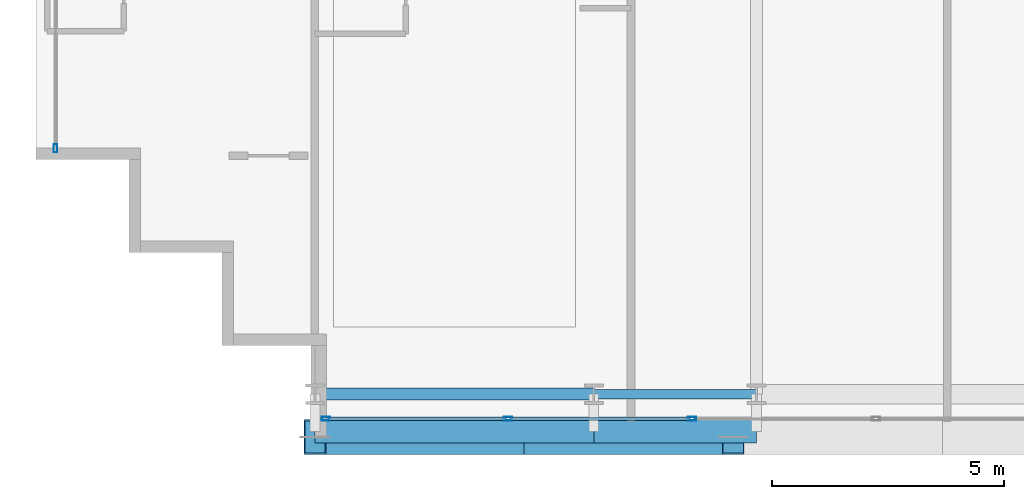
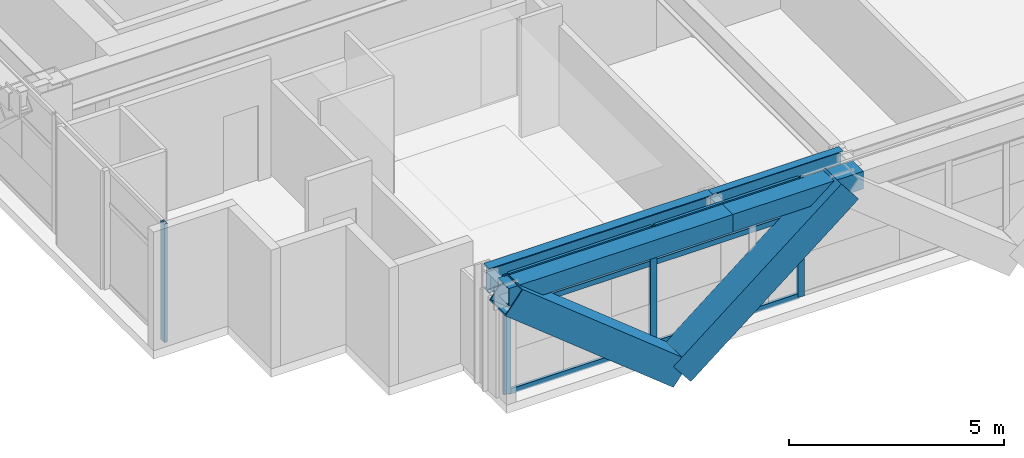
# One storey, part 2 of 35: 12 members, 4 beams, 2 elements without a shape of their own.
"""IFC4 building model written with IfcOpenShell, lengths in metres."""

from ifc_helpers import new_model, si_unit, direction, frame, origin, origin_2d, place, context, subcontext, project, spatial, hollow_rectangle, i_section, extrude, source, transform, mapped, material, layer, layer_set, material_profile, profile_set, type_object, element, aggregate, save


model = new_model("IFC4")

# Units and contexts
model_context = context("Model", 3, precision=1e-05, world=origin(), true_north=direction((0.0, 1.0)))
body_context = subcontext(model_context, "Body", "Model", "MODEL_VIEW")
ifc_project = project(units=[si_unit("LENGTHUNIT", "METRE"), si_unit("AREAUNIT", "SQUARE_METRE"), si_unit("VOLUMEUNIT", "CUBIC_METRE"), si_unit("PLANEANGLEUNIT", "RADIAN"), si_unit("MASSUNIT", "GRAM", prefix="KILO")], contexts=[model_context])

# Site, building, storey
site_placement = place(None, origin())
site = spatial("IfcSite", under=ifc_project, at=site_placement, CompositionType="ELEMENT")
building_placement = place(site_placement, origin())
building = spatial("IfcBuilding", under=site, at=building_placement, Name="Ocotamira Hotel", CompositionType="ELEMENT")
storey_placement = place(building_placement, frame((0.0, 0.0, 144.0)))
storey = spatial("IfcBuildingStorey", under=building, at=storey_placement, Name="L36", CompositionType="ELEMENT", Elevation=144.0)

# Beams
ifc_material_1 = material(Name="Steel ASTM A992 Grade 50", Category="steel")
ifc_material_profile_1 = material_profile(ifc_material_1, i_section(OverallWidth=0.256103515625, OverallDepth=0.693115234375, WebThickness=0.014404296875, FlangeThickness=0.023681640625, FilletRadius=0.01611328125, at=origin_2d()), Name="W27X114")
ifc_profile_set_1 = profile_set([ifc_material_profile_1], Name="Steel ASTM A992 Grade 50")
beam_type_1 = type_object("IfcBeamType", Name="BM-PRIM-W27X114", PredefinedType="BEAM", material=ifc_profile_set_1)
shared_shape_1 = source(origin(), body_context, "Body", "SweptSolid", [
    extrude(i_section(OverallWidth=0.256103515625, OverallDepth=0.693115234375, WebThickness=0.014404296875, FlangeThickness=0.023681640625, FilletRadius=0.01611328125, at=origin_2d()), origin(), (0.0, 0.0, 1.0), 6.0),
])
beam_1_placement = place(storey_placement, frame((14.0, 2.949951171875, 3.013427734375), z_axis=(1.0, 0.0, 0.0), x_axis=(0.0, 1.0, 0.0)))
element("IfcBeam", 1, at=beam_1_placement, inside=storey, type_object=beam_type_1, Name="L36 Girder Y2.95 X14-20", PredefinedType="BEAM", context=body_context, shape_type="MappedRepresentation", body=[
    mapped(shared_shape_1, transform((0.0, 0.0, 0.0), scale=1.0)),
])
ifc_material_profile_2 = material_profile(ifc_material_1, i_section(OverallWidth=0.2099609375, OverallDepth=0.537109375, WebThickness=0.010986328125, FlangeThickness=0.017333984375, FilletRadius=0.012939453125, at=origin_2d()), Name="W21X68")
ifc_profile_set_2 = profile_set([ifc_material_profile_2], Name="Steel ASTM A992 Grade 50")
beam_type_2 = type_object("IfcBeamType", Name="BM-SEC-W21X68", PredefinedType="JOIST", material=ifc_profile_set_2)
shared_shape_2 = source(origin(), body_context, "Body", "SweptSolid", [
    extrude(i_section(OverallWidth=0.2099609375, OverallDepth=0.537109375, WebThickness=0.010986328125, FlangeThickness=0.017333984375, FilletRadius=0.012939453125, at=origin_2d()), origin(), (0.0, 0.0, 1.0), 3.5),
])
beam_2_placement = place(storey_placement, frame((20.0, 2.949951171875, 3.091552734375), z_axis=(1.0, 0.0, 0.0), x_axis=(0.0, 1.0, 0.0)))
element("IfcBeam", 2, at=beam_2_placement, inside=storey, type_object=beam_type_2, Name="L36 Girder Y2.95 X20-23.5", PredefinedType="JOIST", context=body_context, shape_type="MappedRepresentation", body=[
    mapped(shared_shape_2, transform((0.0, 0.0, 0.0), scale=1.0)),
])
ifc_material_2 = material(Name="Steel ASTM A500 Grade C", Category="steel")
ifc_material_profile_3 = material_profile(ifc_material_2, hollow_rectangle(XDim=0.5, YDim=0.5, WallThickness=0.02001953125, at=origin_2d()), Name="HSS500X500X20")
ifc_profile_set_3 = profile_set([ifc_material_profile_3], Name="Steel ASTM A500 Grade C")
beam_type_3 = type_object("IfcBeamType", Name="BM-SPAN-HSS500", PredefinedType="USERDEFINED", material=ifc_profile_set_3)
shared_shape_3 = source(origin(), body_context, "Body", "SweptSolid", [
    extrude(hollow_rectangle(XDim=0.5, YDim=0.5, WallThickness=0.02001953125, at=origin_2d()), origin(), (0.0, 0.0, 1.0), 6.0),
])
beam_3_placement = place(storey_placement, frame((14.0, 2.14990234375, 3.110107421875), z_axis=(1.0, 0.0, 0.0), x_axis=(0.0, 1.0, 0.0)))
element("IfcBeam", 3, at=beam_3_placement, inside=storey, type_object=beam_type_3, Name="L36 Edge Spandrel S X14-20", ObjectType="SPANDREL", PredefinedType="USERDEFINED", context=body_context, shape_type="MappedRepresentation", body=[
    mapped(shared_shape_3, transform((0.0, 0.0, 0.0), scale=1.0)),
])
shared_shape_4 = source(origin(), body_context, "Body", "SweptSolid", [
    extrude(hollow_rectangle(XDim=0.5, YDim=0.5, WallThickness=0.02001953125, at=origin_2d()), origin(), (0.0, 0.0, 1.0), 3.5),
])
beam_4_placement = place(storey_placement, frame((20.0, 2.14990234375, 3.110107421875), z_axis=(1.0, 0.0, 0.0), x_axis=(0.0, 1.0, 0.0)))
element("IfcBeam", 4, at=beam_4_placement, inside=storey, type_object=beam_type_3, Name="L36 Edge Spandrel S X20-23.5", ObjectType="SPANDREL", PredefinedType="USERDEFINED", context=body_context, shape_type="MappedRepresentation", body=[
    mapped(shared_shape_4, transform((0.0, 0.0, 0.0), scale=1.0)),
])

# Members
ifc_material_3 = material(Name="Pale-metal coated steel ASTM A913 Grade 65", Category="steel")
ifc_material_profile_4 = material_profile(ifc_material_3, hollow_rectangle(XDim=0.75, YDim=0.75, WallThickness=0.028076171875, at=origin_2d()), Name="BOX750X750X28")
ifc_profile_set_4 = profile_set([ifc_material_profile_4], Name="Pale-metal coated steel ASTM A913 Grade 65")
member_type_1 = type_object("IfcMemberType", Name="MEM-EXO-BOX750", PredefinedType="BRACE", material=ifc_profile_set_4)
shared_shape_5 = source(origin(), body_context, "Body", "SweptSolid", [
    extrude(hollow_rectangle(XDim=0.75, YDim=0.75, WallThickness=0.028076171875, at=origin_2d()), origin(), (0.0, 0.0, 1.0), 5.762939453125),
])
for number, where, z_axis, x_axis, name in (
    (5, (18.5, 2.030029296875, -0.489990234375), (-0.780860543151, 0.0, 0.624705380279), (0.0, -1.0, 0.0), "L36 Exoskeleton Diagrid S0.1"),
    (6, (18.5, 2.030029296875, -0.489990234375), (0.780860543151, 0.0, 0.624705380279), (0.0, 1.0, 0.0), "L36 Exoskeleton Diagrid S0.2"),
):
    element("IfcMember", number, at=place(storey_placement, frame(where, z_axis=z_axis, x_axis=x_axis)), inside=storey, type_object=member_type_1, Name=name, PredefinedType="BRACE", context=body_context, shape_type="MappedRepresentation", body=[
        mapped(shared_shape_5, transform((0.0, 0.0, 0.0), scale=1.0)),
    ])

# Curtain wall, members
ifc_material_4 = material(Name="Anodised pale-metal aluminium and solar glass", Category="aluminium")
ifc_layer = layer(ifc_material_4, 0.179931640625)
ifc_layer_set = layer_set([ifc_layer], Name="Anodised pale-metal aluminium and solar glass")
curtain_wall_type = type_object("IfcCurtainWallType", Name="CW-SYS3-Z2", PredefinedType="NOTDEFINED", material=ifc_layer_set)
curtain_wall_1_placement = place(storey_placement, origin())
curtain_wall_1 = element("IfcCurtainWall", 7, at=curtain_wall_1_placement, inside=storey, type_object=curtain_wall_type, Name="L36 Curtain Wall CW-3 CW-L36-S1", PredefinedType="NOTDEFINED")
ifc_material_5 = material(Name="Anodised pale-metal aluminium 6063-T6", Category="aluminium")
ifc_material_profile_5 = material_profile(ifc_material_5, hollow_rectangle(XDim=0.074951171875, YDim=0.14990234375, WallThickness=0.006103515625, at=origin_2d()), Name="HSS150X75X6")
ifc_profile_set_5 = profile_set([ifc_material_profile_5], Name="Anodised pale-metal aluminium 6063-T6")
member_type_2 = type_object("IfcMemberType", Name="CWT-150X75", PredefinedType="USERDEFINED", material=ifc_profile_set_5)
shared_shape_6 = source(origin(), body_context, "Body", "SweptSolid", [
    extrude(hollow_rectangle(XDim=0.074951171875, YDim=0.14990234375, WallThickness=0.006103515625, at=origin_2d()), origin(), (0.0, 0.0, 1.0), 3.83544921875),
])
member_1_placement = place(storey_placement, frame((14.280029296875, 2.419921875, 0.03759765625), z_axis=(1.0, 0.0, 0.0), x_axis=(0.0, 1.0, 0.0)))
member_1 = element("IfcMember", 8, at=member_1_placement, type_object=member_type_2, Name="CW-3 transom 1.1", ObjectType="TRANSOM", PredefinedType="USERDEFINED", context=body_context, shape_type="MappedRepresentation", body=[
    mapped(shared_shape_6, transform((0.0, 0.0, 0.0), scale=1.0)),
])
member_2_placement = place(storey_placement, frame((14.280029296875, 2.419921875, 2.35009765625), z_axis=(1.0, 0.0, 0.0), x_axis=(0.0, 1.0, 0.0)))
member_2 = element("IfcMember", 9, at=member_2_placement, type_object=member_type_2, Name="CW-3 transom 1.2", ObjectType="TRANSOM", PredefinedType="USERDEFINED", context=body_context, shape_type="MappedRepresentation", body=[
    mapped(shared_shape_6, transform((0.0, 0.0, 0.0), scale=1.0)),
])
member_3_placement = place(storey_placement, frame((14.280029296875, 2.419921875, 3.322509765625), z_axis=(1.0, 0.0, 0.0), x_axis=(0.0, 1.0, 0.0)))
member_3 = element("IfcMember", 10, at=member_3_placement, type_object=member_type_2, Name="CW-3 transom 1.3", ObjectType="TRANSOM", PredefinedType="USERDEFINED", context=body_context, shape_type="MappedRepresentation", body=[
    mapped(shared_shape_6, transform((0.0, 0.0, 0.0), scale=1.0)),
])
shared_shape_7 = source(origin(), body_context, "Body", "SweptSolid", [
    extrude(hollow_rectangle(XDim=0.074951171875, YDim=0.14990234375, WallThickness=0.006103515625, at=origin_2d()), origin(), (0.0, 0.0, 1.0), 3.87548828125),
])
member_4_placement = place(storey_placement, frame((18.195556640625, 2.419921875, 0.03759765625), z_axis=(1.0, 0.0, 0.0), x_axis=(0.0, 1.0, 0.0)))
member_4 = element("IfcMember", 11, at=member_4_placement, type_object=member_type_2, Name="CW-3 transom 2.1", ObjectType="TRANSOM", PredefinedType="USERDEFINED", context=body_context, shape_type="MappedRepresentation", body=[
    mapped(shared_shape_7, transform((0.0, 0.0, 0.0), scale=1.0)),
])
member_5_placement = place(storey_placement, frame((18.195556640625, 2.419921875, 2.35009765625), z_axis=(1.0, 0.0, 0.0), x_axis=(0.0, 1.0, 0.0)))
member_5 = element("IfcMember", 12, at=member_5_placement, type_object=member_type_2, Name="CW-3 transom 2.2", ObjectType="TRANSOM", PredefinedType="USERDEFINED", context=body_context, shape_type="MappedRepresentation", body=[
    mapped(shared_shape_7, transform((0.0, 0.0, 0.0), scale=1.0)),
])
member_6_placement = place(storey_placement, frame((18.195556640625, 2.419921875, 3.322509765625), z_axis=(1.0, 0.0, 0.0), x_axis=(0.0, 1.0, 0.0)))
member_6 = element("IfcMember", 13, at=member_6_placement, type_object=member_type_2, Name="CW-3 transom 2.3", ObjectType="TRANSOM", PredefinedType="USERDEFINED", context=body_context, shape_type="MappedRepresentation", body=[
    mapped(shared_shape_7, transform((0.0, 0.0, 0.0), scale=1.0)),
])
ifc_material_profile_6 = material_profile(ifc_material_5, hollow_rectangle(XDim=0.080078125, YDim=0.179931640625, WallThickness=0.006103515625, at=origin_2d()), Name="HSS180X80X6")
ifc_profile_set_6 = profile_set([ifc_material_profile_6], Name="Anodised pale-metal aluminium 6063-T6")
member_type_3 = type_object("IfcMemberType", Name="CWM-180X75", PredefinedType="MULLION", material=ifc_profile_set_6)
shared_shape_8 = source(origin(), body_context, "Body", "SweptSolid", [
    extrude(hollow_rectangle(XDim=0.080078125, YDim=0.179931640625, WallThickness=0.006103515625, at=origin_2d()), origin(), (0.0, 0.0, 1.0), 3.360107421875),
])
member_7_placement = place(storey_placement, frame((14.239990234375, 2.419921875, 0.0), z_axis=(0.0, 0.0, 1.0), x_axis=(0.0, 1.0, 0.0)))
member_7 = element("IfcMember", 14, at=member_7_placement, type_object=member_type_3, Name="CW-3 mullion 1", PredefinedType="MULLION", context=body_context, shape_type="MappedRepresentation", body=[
    mapped(shared_shape_8, transform((0.0, 0.0, 0.0), scale=1.0)),
])
member_8_placement = place(storey_placement, frame((18.155517578125, 2.419921875, 0.0), z_axis=(0.0, 0.0, 1.0), x_axis=(0.0, 1.0, 0.0)))
member_8 = element("IfcMember", 15, at=member_8_placement, type_object=member_type_3, Name="CW-3 mullion 2", PredefinedType="MULLION", context=body_context, shape_type="MappedRepresentation", body=[
    mapped(shared_shape_8, transform((0.0, 0.0, 0.0), scale=1.0)),
])
member_9_placement = place(storey_placement, frame((22.111083984375, 2.419921875, 0.0), z_axis=(0.0, 0.0, 1.0), x_axis=(0.0, 1.0, 0.0)))
member_9 = element("IfcMember", 16, at=member_9_placement, type_object=member_type_3, Name="CW-3 mullion 3", PredefinedType="MULLION", context=body_context, shape_type="MappedRepresentation", body=[
    mapped(shared_shape_8, transform((0.0, 0.0, 0.0), scale=1.0)),
])
aggregate(curtain_wall_1, [member_7, member_8, member_9, member_1, member_2, member_3, member_4, member_5, member_6])

# Curtain wall, member
curtain_wall_2_placement = place(storey_placement, origin())
curtain_wall_2 = element("IfcCurtainWall", 17, at=curtain_wall_2_placement, inside=storey, type_object=curtain_wall_type, Name="L36 Curtain Wall CW-3 CW-L36-W", PredefinedType="NOTDEFINED")
member_10_placement = place(storey_placement, frame((8.419921875, 8.239990234375, 0.0), z_axis=(0.0, 0.0, 1.0), x_axis=(-1.0, 0.0, 0.0)))
member_10 = element("IfcMember", 18, at=member_10_placement, type_object=member_type_3, Name="CW-3 mullion 1", PredefinedType="MULLION", context=body_context, shape_type="MappedRepresentation", body=[
    mapped(shared_shape_8, transform((0.0, 0.0, 0.0), scale=1.0)),
])
aggregate(curtain_wall_2, [member_10])

save(model, "model.ifc")
